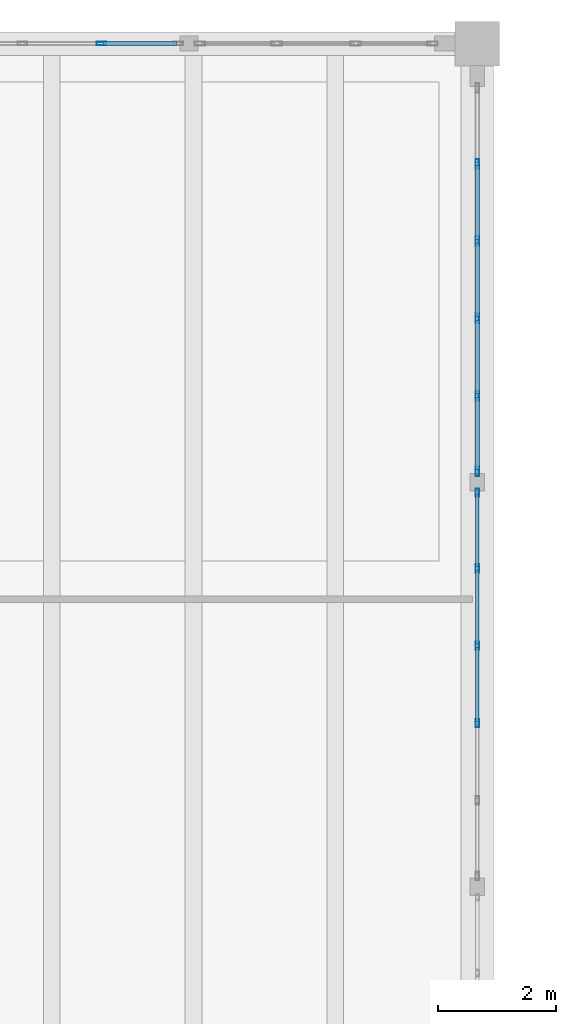
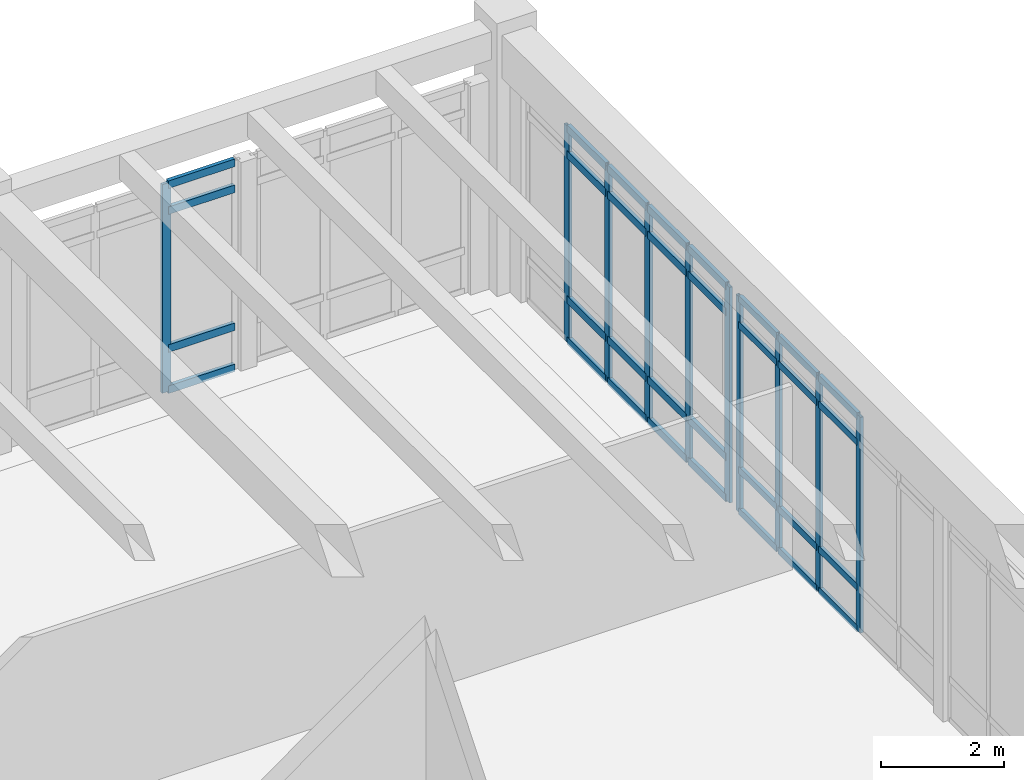
# One storey, part 86 of 138: 42 members, 3 elements without a shape of their own.
"""IFC4 building model written with IfcOpenShell, lengths in metres."""

from ifc_helpers import new_model, si_unit, direction, frame, origin, origin_2d, place, context, subcontext, project, spatial, hollow_rectangle, extrude, material, layer, layer_set, material_profile, profile_set, type_object, element, aggregate, save


model = new_model("IFC4")

# Units and contexts
model_context = context("Model", 3, precision=1e-05, world=origin(), true_north=direction((0.0, 1.0)))
body_context = subcontext(model_context, "Body", "Model", "MODEL_VIEW")
ifc_project = project(units=[si_unit("LENGTHUNIT", "METRE"), si_unit("AREAUNIT", "SQUARE_METRE"), si_unit("VOLUMEUNIT", "CUBIC_METRE"), si_unit("PLANEANGLEUNIT", "RADIAN"), si_unit("MASSUNIT", "GRAM", prefix="KILO")], contexts=[model_context])

# Site, building, storey
site_placement = place(None, origin())
site = spatial("IfcSite", under=ifc_project, at=site_placement, CompositionType="ELEMENT")
building_placement = place(site_placement, origin())
building = spatial("IfcBuilding", under=site, at=building_placement, Name="Fikremerkos Civic Library", CompositionType="ELEMENT")
storey_placement = place(building_placement, origin())
storey = spatial("IfcBuildingStorey", under=building, at=storey_placement, Name="L00", CompositionType="ELEMENT", Elevation=0.0)

# Curtain wall, member
ifc_material = material(Name="Anodized aluminium Frame", Category="aluminium")
ifc_layer_1 = layer(ifc_material, 0.159912109375, Name="Anodized aluminium Frame")
ifc_layer_set_1 = layer_set([ifc_layer_1], Name="Anodized aluminium Frame")
curtain_wall_type_1 = type_object("IfcCurtainWallType", Name="Unitised curtain wall CW-18 2700x3400", PredefinedType="USERDEFINED", material=ifc_layer_set_1)
curtain_wall_1_placement = place(storey_placement, origin())
curtain_wall_1 = element("IfcCurtainWall", 1, at=curtain_wall_1_placement, inside=storey, type_object=curtain_wall_type_1, Name="Unitised curtain wall CW-18 L00 #54", ObjectType="UNITISED CURTAIN WALL", PredefinedType="USERDEFINED")
ifc_material_profile_1 = material_profile(ifc_material, hollow_rectangle(XDim=0.06005859375, YDim=0.159912109375, WallThickness=0.00390625, at=origin_2d()), Name="ALU 160x60x4")
ifc_profile_set_1 = profile_set([ifc_material_profile_1], Name="Anodized aluminium Frame")
member_type_1 = type_object("IfcMemberType", Name="Curtain mullion CWM-02 ALU 160x60x4", PredefinedType="MULLION", material=ifc_profile_set_1)
member_1_placement = place(storey_placement, frame((128.041015625, 117.60009765625, 0.0), z_axis=(0.0, 0.0, 1.0), x_axis=(0.0, 1.0, 0.0)))
member_1 = element("IfcMember", 2, at=member_1_placement, type_object=member_type_1, Name="CW-18 mullion 3", PredefinedType="MULLION", context=body_context, shape_type="SweptSolid", body=[
    extrude(hollow_rectangle(XDim=0.06005859375, YDim=0.159912109375, WallThickness=0.00390625, at=origin_2d()), origin(), (0.0, 0.0, 1.0), 4.1298828125),
])

# Curtain wall, members
ifc_layer_2 = layer(ifc_material, 0.159912109375, Name="Anodized aluminium Frame")
ifc_layer_set_2 = layer_set([ifc_layer_2], Name="Anodized aluminium Frame")
curtain_wall_type_2 = type_object("IfcCurtainWallType", Name="Unitised curtain wall CW-02 3900x3600", PredefinedType="USERDEFINED", material=ifc_layer_set_2)
curtain_wall_2_placement = place(storey_placement, origin())
curtain_wall_2 = element("IfcCurtainWall", 3, at=curtain_wall_2_placement, inside=storey, type_object=curtain_wall_type_2, Name="Unitised curtain wall CW-02 L00 #56", ObjectType="UNITISED CURTAIN WALL", PredefinedType="USERDEFINED")
member_2_placement = place(storey_placement, frame((134.39990234375, 115.568359375, 0.0), z_axis=(0.0, 0.0, 1.0), x_axis=(1.0, 0.0, 0.0)))
member_2 = element("IfcMember", 4, at=member_2_placement, type_object=member_type_1, Name="CW-02 mullion 2", PredefinedType="MULLION", context=body_context, shape_type="SweptSolid", body=[
    extrude(hollow_rectangle(XDim=0.06005859375, YDim=0.159912109375, WallThickness=0.00390625, at=origin_2d()), origin(), (0.0, 0.0, 1.0), 4.27001953125),
])
member_3_placement = place(storey_placement, frame((134.39990234375, 114.259765625, 0.0), z_axis=(0.0, 0.0, 1.0), x_axis=(1.0, 0.0, 0.0)))
member_3 = element("IfcMember", 5, at=member_3_placement, type_object=member_type_1, Name="CW-02 mullion 3", PredefinedType="MULLION", context=body_context, shape_type="SweptSolid", body=[
    extrude(hollow_rectangle(XDim=0.06005859375, YDim=0.159912109375, WallThickness=0.00390625, at=origin_2d()), origin(), (0.0, 0.0, 1.0), 4.27001953125),
])
member_4_placement = place(storey_placement, frame((134.39990234375, 112.951171875, 0.0), z_axis=(0.0, 0.0, 1.0), x_axis=(1.0, 0.0, 0.0)))
member_4 = element("IfcMember", 6, at=member_4_placement, type_object=member_type_1, Name="CW-02 mullion 4", PredefinedType="MULLION", context=body_context, shape_type="SweptSolid", body=[
    extrude(hollow_rectangle(XDim=0.06005859375, YDim=0.159912109375, WallThickness=0.00390625, at=origin_2d()), origin(), (0.0, 0.0, 1.0), 4.27001953125),
])
member_5_placement = place(storey_placement, frame((134.39990234375, 111.642578125, 0.0), z_axis=(0.0, 0.0, 1.0), x_axis=(1.0, 0.0, 0.0)))
member_5 = element("IfcMember", 7, at=member_5_placement, type_object=member_type_1, Name="CW-02 mullion 5", PredefinedType="MULLION", context=body_context, shape_type="SweptSolid", body=[
    extrude(hollow_rectangle(XDim=0.06005859375, YDim=0.159912109375, WallThickness=0.00390625, at=origin_2d()), origin(), (0.0, 0.0, 1.0), 4.27001953125),
])
member_6_placement = place(storey_placement, frame((134.39990234375, 110.364013671875, 0.0), z_axis=(0.0, 0.0, 1.0), x_axis=(1.0, 0.0, 0.0)))
member_6 = element("IfcMember", 8, at=member_6_placement, type_object=member_type_1, Name="CW-02 mullion 6", PredefinedType="MULLION", context=body_context, shape_type="SweptSolid", body=[
    extrude(hollow_rectangle(XDim=0.06005859375, YDim=0.159912109375, WallThickness=0.00390625, at=origin_2d()), origin(), (0.0, 0.0, 1.0), 4.27001953125),
])

ifc_layer_3 = layer(ifc_material, 0.159912109375, Name="Anodized aluminium Frame")
ifc_layer_set_3 = layer_set([ifc_layer_3], Name="Anodized aluminium Frame")
curtain_wall_type_3 = type_object("IfcCurtainWallType", Name="Unitised curtain wall CW-03 4100x3600", PredefinedType="USERDEFINED", material=ifc_layer_set_3)
curtain_wall_3_placement = place(storey_placement, origin())
curtain_wall_3 = element("IfcCurtainWall", 9, at=curtain_wall_3_placement, inside=storey, type_object=curtain_wall_type_3, Name="Unitised curtain wall CW-03 L00 #57", ObjectType="UNITISED CURTAIN WALL", PredefinedType="USERDEFINED")
ifc_material_profile_2 = material_profile(ifc_material, hollow_rectangle(XDim=0.06005859375, YDim=0.139892578125, WallThickness=0.00390625, at=origin_2d()), Name="ALU 140x60x4")
ifc_profile_set_2 = profile_set([ifc_material_profile_2], Name="Anodized aluminium Frame")
member_type_2 = type_object("IfcMemberType", Name="Curtain mullion CWM-03 ALU 140x60x4", PredefinedType="MULLION", material=ifc_profile_set_2)
member_7_placement = place(storey_placement, frame((134.39990234375, 110.00390625, 0.0), z_axis=(0.0, 0.0, 1.0), x_axis=(1.0, 0.0, 0.0)))
member_7 = element("IfcMember", 10, at=member_7_placement, type_object=member_type_2, Name="CW-03 mullion 1", PredefinedType="MULLION", context=body_context, shape_type="SweptSolid", body=[
    extrude(hollow_rectangle(XDim=0.06005859375, YDim=0.139892578125, WallThickness=0.00390625, at=origin_2d()), origin(), (0.0, 0.0, 1.0), 4.27001953125),
])
member_8_placement = place(storey_placement, frame((134.39990234375, 108.725341796875, 0.0), z_axis=(0.0, 0.0, 1.0), x_axis=(1.0, 0.0, 0.0)))
member_8 = element("IfcMember", 11, at=member_8_placement, type_object=member_type_2, Name="CW-03 mullion 2", PredefinedType="MULLION", context=body_context, shape_type="SweptSolid", body=[
    extrude(hollow_rectangle(XDim=0.06005859375, YDim=0.139892578125, WallThickness=0.00390625, at=origin_2d()), origin(), (0.0, 0.0, 1.0), 4.27001953125),
])
member_9_placement = place(storey_placement, frame((134.39990234375, 107.416748046875, 0.0), z_axis=(0.0, 0.0, 1.0), x_axis=(1.0, 0.0, 0.0)))
member_9 = element("IfcMember", 12, at=member_9_placement, type_object=member_type_2, Name="CW-03 mullion 3", PredefinedType="MULLION", context=body_context, shape_type="SweptSolid", body=[
    extrude(hollow_rectangle(XDim=0.06005859375, YDim=0.139892578125, WallThickness=0.00390625, at=origin_2d()), origin(), (0.0, 0.0, 1.0), 4.27001953125),
])
member_10_placement = place(storey_placement, frame((134.39990234375, 106.108154296875, 0.0), z_axis=(0.0, 0.0, 1.0), x_axis=(1.0, 0.0, 0.0)))
member_10 = element("IfcMember", 13, at=member_10_placement, type_object=member_type_2, Name="CW-03 mullion 4", PredefinedType="MULLION", context=body_context, shape_type="SweptSolid", body=[
    extrude(hollow_rectangle(XDim=0.06005859375, YDim=0.139892578125, WallThickness=0.00390625, at=origin_2d()), origin(), (0.0, 0.0, 1.0), 4.27001953125),
])

# Member
ifc_material_profile_3 = material_profile(ifc_material, hollow_rectangle(XDim=0.070068359375, YDim=0.14990234375, WallThickness=0.00439453125, at=origin_2d()), Name="ALU 150x70x4.5")
ifc_profile_set_3 = profile_set([ifc_material_profile_3], Name="Anodized aluminium Frame")
member_type_3 = type_object("IfcMemberType", Name="Curtain transom CWT-01 ALU 150x70x4.5", PredefinedType="USERDEFINED", material=ifc_profile_set_3)
member_11_placement = place(storey_placement, frame((128.071044921875, 117.60009765625, 0.034912109375), z_axis=(1.0, 0.0, 0.0), x_axis=(0.0, 1.0, 0.0)))
member_11 = element("IfcMember", 14, at=member_11_placement, type_object=member_type_3, Name="CW-18 transom 3.1", ObjectType="TRANSOM", PredefinedType="USERDEFINED", context=body_context, shape_type="SweptSolid", body=[
    extrude(hollow_rectangle(XDim=0.070068359375, YDim=0.14990234375, WallThickness=0.00439453125, at=origin_2d()), origin(), (0.0, 0.0, 1.0), 1.243896484375),
])

member_12_placement = place(storey_placement, frame((128.071044921875, 117.60009765625, 0.85009765625), z_axis=(1.0, 0.0, 0.0), x_axis=(0.0, 1.0, 0.0)))
member_12 = element("IfcMember", 15, at=member_12_placement, type_object=member_type_3, Name="CW-18 transom 3.2", ObjectType="TRANSOM", PredefinedType="USERDEFINED", context=body_context, shape_type="SweptSolid", body=[
    extrude(hollow_rectangle(XDim=0.070068359375, YDim=0.14990234375, WallThickness=0.00439453125, at=origin_2d()), origin(), (0.0, 0.0, 1.0), 1.243896484375),
])

member_13_placement = place(storey_placement, frame((128.071044921875, 117.60009765625, 3.580078125), z_axis=(1.0, 0.0, 0.0), x_axis=(0.0, 1.0, 0.0)))
member_13 = element("IfcMember", 16, at=member_13_placement, type_object=member_type_3, Name="CW-18 transom 3.3", ObjectType="TRANSOM", PredefinedType="USERDEFINED", context=body_context, shape_type="SweptSolid", body=[
    extrude(hollow_rectangle(XDim=0.070068359375, YDim=0.14990234375, WallThickness=0.00439453125, at=origin_2d()), origin(), (0.0, 0.0, 1.0), 1.243896484375),
])

member_14_placement = place(storey_placement, frame((128.071044921875, 117.60009765625, 4.094970703125), z_axis=(1.0, 0.0, 0.0), x_axis=(0.0, 1.0, 0.0)))
member_14 = element("IfcMember", 17, at=member_14_placement, type_object=member_type_3, Name="CW-18 transom 3.4", ObjectType="TRANSOM", PredefinedType="USERDEFINED", context=body_context, shape_type="SweptSolid", body=[
    extrude(hollow_rectangle(XDim=0.070068359375, YDim=0.14990234375, WallThickness=0.00439453125, at=origin_2d()), origin(), (0.0, 0.0, 1.0), 1.243896484375),
])

aggregate(curtain_wall_1, [member_1, member_11, member_12, member_13, member_14])

member_15_placement = place(storey_placement, frame((134.39990234375, 115.538330078125, 0.034912109375), z_axis=(0.0, -1.0, 0.0), x_axis=(1.0, 0.0, 0.0)))
member_15 = element("IfcMember", 18, at=member_15_placement, type_object=member_type_3, Name="CW-02 transom 2.1", ObjectType="TRANSOM", PredefinedType="USERDEFINED", context=body_context, shape_type="SweptSolid", body=[
    extrude(hollow_rectangle(XDim=0.070068359375, YDim=0.14990234375, WallThickness=0.00439453125, at=origin_2d()), origin(), (0.0, 0.0, 1.0), 1.24853515625),
])

member_16_placement = place(storey_placement, frame((134.39990234375, 115.538330078125, 0.85009765625), z_axis=(0.0, -1.0, 0.0), x_axis=(1.0, 0.0, 0.0)))
member_16 = element("IfcMember", 19, at=member_16_placement, type_object=member_type_3, Name="CW-02 transom 2.2", ObjectType="TRANSOM", PredefinedType="USERDEFINED", context=body_context, shape_type="SweptSolid", body=[
    extrude(hollow_rectangle(XDim=0.070068359375, YDim=0.14990234375, WallThickness=0.00439453125, at=origin_2d()), origin(), (0.0, 0.0, 1.0), 1.24853515625),
])

member_17_placement = place(storey_placement, frame((134.39990234375, 115.538330078125, 3.719970703125), z_axis=(0.0, -1.0, 0.0), x_axis=(1.0, 0.0, 0.0)))
member_17 = element("IfcMember", 20, at=member_17_placement, type_object=member_type_3, Name="CW-02 transom 2.3", ObjectType="TRANSOM", PredefinedType="USERDEFINED", context=body_context, shape_type="SweptSolid", body=[
    extrude(hollow_rectangle(XDim=0.070068359375, YDim=0.14990234375, WallThickness=0.00439453125, at=origin_2d()), origin(), (0.0, 0.0, 1.0), 1.24853515625),
])

member_18_placement = place(storey_placement, frame((134.39990234375, 115.538330078125, 4.235107421875), z_axis=(0.0, -1.0, 0.0), x_axis=(1.0, 0.0, 0.0)))
member_18 = element("IfcMember", 21, at=member_18_placement, type_object=member_type_3, Name="CW-02 transom 2.4", ObjectType="TRANSOM", PredefinedType="USERDEFINED", context=body_context, shape_type="SweptSolid", body=[
    extrude(hollow_rectangle(XDim=0.070068359375, YDim=0.14990234375, WallThickness=0.00439453125, at=origin_2d()), origin(), (0.0, 0.0, 1.0), 1.24853515625),
])

member_19_placement = place(storey_placement, frame((134.39990234375, 114.229736328125, 0.034912109375), z_axis=(0.0, -1.0, 0.0), x_axis=(1.0, 0.0, 0.0)))
member_19 = element("IfcMember", 22, at=member_19_placement, type_object=member_type_3, Name="CW-02 transom 3.1", ObjectType="TRANSOM", PredefinedType="USERDEFINED", context=body_context, shape_type="SweptSolid", body=[
    extrude(hollow_rectangle(XDim=0.070068359375, YDim=0.14990234375, WallThickness=0.00439453125, at=origin_2d()), origin(), (0.0, 0.0, 1.0), 1.24853515625),
])

member_20_placement = place(storey_placement, frame((134.39990234375, 114.229736328125, 0.85009765625), z_axis=(0.0, -1.0, 0.0), x_axis=(1.0, 0.0, 0.0)))
member_20 = element("IfcMember", 23, at=member_20_placement, type_object=member_type_3, Name="CW-02 transom 3.2", ObjectType="TRANSOM", PredefinedType="USERDEFINED", context=body_context, shape_type="SweptSolid", body=[
    extrude(hollow_rectangle(XDim=0.070068359375, YDim=0.14990234375, WallThickness=0.00439453125, at=origin_2d()), origin(), (0.0, 0.0, 1.0), 1.24853515625),
])

member_21_placement = place(storey_placement, frame((134.39990234375, 114.229736328125, 3.719970703125), z_axis=(0.0, -1.0, 0.0), x_axis=(1.0, 0.0, 0.0)))
member_21 = element("IfcMember", 24, at=member_21_placement, type_object=member_type_3, Name="CW-02 transom 3.3", ObjectType="TRANSOM", PredefinedType="USERDEFINED", context=body_context, shape_type="SweptSolid", body=[
    extrude(hollow_rectangle(XDim=0.070068359375, YDim=0.14990234375, WallThickness=0.00439453125, at=origin_2d()), origin(), (0.0, 0.0, 1.0), 1.24853515625),
])

member_22_placement = place(storey_placement, frame((134.39990234375, 114.229736328125, 4.235107421875), z_axis=(0.0, -1.0, 0.0), x_axis=(1.0, 0.0, 0.0)))
member_22 = element("IfcMember", 25, at=member_22_placement, type_object=member_type_3, Name="CW-02 transom 3.4", ObjectType="TRANSOM", PredefinedType="USERDEFINED", context=body_context, shape_type="SweptSolid", body=[
    extrude(hollow_rectangle(XDim=0.070068359375, YDim=0.14990234375, WallThickness=0.00439453125, at=origin_2d()), origin(), (0.0, 0.0, 1.0), 1.24853515625),
])

member_23_placement = place(storey_placement, frame((134.39990234375, 112.921142578125, 0.034912109375), z_axis=(0.0, -1.0, 0.0), x_axis=(1.0, 0.0, 0.0)))
member_23 = element("IfcMember", 26, at=member_23_placement, type_object=member_type_3, Name="CW-02 transom 4.1", ObjectType="TRANSOM", PredefinedType="USERDEFINED", context=body_context, shape_type="SweptSolid", body=[
    extrude(hollow_rectangle(XDim=0.070068359375, YDim=0.14990234375, WallThickness=0.00439453125, at=origin_2d()), origin(), (0.0, 0.0, 1.0), 1.24853515625),
])

member_24_placement = place(storey_placement, frame((134.39990234375, 112.921142578125, 0.85009765625), z_axis=(0.0, -1.0, 0.0), x_axis=(1.0, 0.0, 0.0)))
member_24 = element("IfcMember", 27, at=member_24_placement, type_object=member_type_3, Name="CW-02 transom 4.2", ObjectType="TRANSOM", PredefinedType="USERDEFINED", context=body_context, shape_type="SweptSolid", body=[
    extrude(hollow_rectangle(XDim=0.070068359375, YDim=0.14990234375, WallThickness=0.00439453125, at=origin_2d()), origin(), (0.0, 0.0, 1.0), 1.24853515625),
])

member_25_placement = place(storey_placement, frame((134.39990234375, 112.921142578125, 3.719970703125), z_axis=(0.0, -1.0, 0.0), x_axis=(1.0, 0.0, 0.0)))
member_25 = element("IfcMember", 28, at=member_25_placement, type_object=member_type_3, Name="CW-02 transom 4.3", ObjectType="TRANSOM", PredefinedType="USERDEFINED", context=body_context, shape_type="SweptSolid", body=[
    extrude(hollow_rectangle(XDim=0.070068359375, YDim=0.14990234375, WallThickness=0.00439453125, at=origin_2d()), origin(), (0.0, 0.0, 1.0), 1.24853515625),
])

member_26_placement = place(storey_placement, frame((134.39990234375, 112.921142578125, 4.235107421875), z_axis=(0.0, -1.0, 0.0), x_axis=(1.0, 0.0, 0.0)))
member_26 = element("IfcMember", 29, at=member_26_placement, type_object=member_type_3, Name="CW-02 transom 4.4", ObjectType="TRANSOM", PredefinedType="USERDEFINED", context=body_context, shape_type="SweptSolid", body=[
    extrude(hollow_rectangle(XDim=0.070068359375, YDim=0.14990234375, WallThickness=0.00439453125, at=origin_2d()), origin(), (0.0, 0.0, 1.0), 1.24853515625),
])

member_27_placement = place(storey_placement, frame((134.39990234375, 111.612548828125, 0.034912109375), z_axis=(0.0, -1.0, 0.0), x_axis=(1.0, 0.0, 0.0)))
member_27 = element("IfcMember", 30, at=member_27_placement, type_object=member_type_3, Name="CW-02 transom 5.1", ObjectType="TRANSOM", PredefinedType="USERDEFINED", context=body_context, shape_type="SweptSolid", body=[
    extrude(hollow_rectangle(XDim=0.070068359375, YDim=0.14990234375, WallThickness=0.00439453125, at=origin_2d()), origin(), (0.0, 0.0, 1.0), 1.218505859375),
])

member_28_placement = place(storey_placement, frame((134.39990234375, 111.612548828125, 0.85009765625), z_axis=(0.0, -1.0, 0.0), x_axis=(1.0, 0.0, 0.0)))
member_28 = element("IfcMember", 31, at=member_28_placement, type_object=member_type_3, Name="CW-02 transom 5.2", ObjectType="TRANSOM", PredefinedType="USERDEFINED", context=body_context, shape_type="SweptSolid", body=[
    extrude(hollow_rectangle(XDim=0.070068359375, YDim=0.14990234375, WallThickness=0.00439453125, at=origin_2d()), origin(), (0.0, 0.0, 1.0), 1.218505859375),
])

member_29_placement = place(storey_placement, frame((134.39990234375, 111.612548828125, 3.719970703125), z_axis=(0.0, -1.0, 0.0), x_axis=(1.0, 0.0, 0.0)))
member_29 = element("IfcMember", 32, at=member_29_placement, type_object=member_type_3, Name="CW-02 transom 5.3", ObjectType="TRANSOM", PredefinedType="USERDEFINED", context=body_context, shape_type="SweptSolid", body=[
    extrude(hollow_rectangle(XDim=0.070068359375, YDim=0.14990234375, WallThickness=0.00439453125, at=origin_2d()), origin(), (0.0, 0.0, 1.0), 1.218505859375),
])

member_30_placement = place(storey_placement, frame((134.39990234375, 111.612548828125, 4.235107421875), z_axis=(0.0, -1.0, 0.0), x_axis=(1.0, 0.0, 0.0)))
member_30 = element("IfcMember", 33, at=member_30_placement, type_object=member_type_3, Name="CW-02 transom 5.4", ObjectType="TRANSOM", PredefinedType="USERDEFINED", context=body_context, shape_type="SweptSolid", body=[
    extrude(hollow_rectangle(XDim=0.070068359375, YDim=0.14990234375, WallThickness=0.00439453125, at=origin_2d()), origin(), (0.0, 0.0, 1.0), 1.218505859375),
])

aggregate(curtain_wall_2, [member_2, member_3, member_4, member_5, member_6, member_15, member_16, member_17, member_18, member_19, member_20, member_21, member_22, member_23, member_24, member_25, member_26, member_27, member_28, member_29, member_30])

ifc_material_profile_4 = material_profile(ifc_material, hollow_rectangle(XDim=0.06494140625, YDim=0.135009765625, WallThickness=0.00439453125, at=origin_2d()), Name="ALU 135x65x4.5")
ifc_profile_set_4 = profile_set([ifc_material_profile_4], Name="Anodized aluminium Frame")
member_type_4 = type_object("IfcMemberType", Name="Curtain transom CWT-02 ALU 135x65x4.5", PredefinedType="USERDEFINED", material=ifc_profile_set_4)
member_31_placement = place(storey_placement, frame((134.39990234375, 109.97412109375, 0.032470703125), z_axis=(0.0, -1.0, 0.0), x_axis=(1.0, 0.0, 0.0)))
member_31 = element("IfcMember", 34, at=member_31_placement, type_object=member_type_4, Name="CW-03 transom 1.1", ObjectType="TRANSOM", PredefinedType="USERDEFINED", context=body_context, shape_type="SweptSolid", body=[
    extrude(hollow_rectangle(XDim=0.06494140625, YDim=0.135009765625, WallThickness=0.00439453125, at=origin_2d()), origin(), (0.0, 0.0, 1.0), 1.21875),
])

member_32_placement = place(storey_placement, frame((134.39990234375, 109.97412109375, 0.85009765625), z_axis=(0.0, -1.0, 0.0), x_axis=(1.0, 0.0, 0.0)))
member_32 = element("IfcMember", 35, at=member_32_placement, type_object=member_type_4, Name="CW-03 transom 1.2", ObjectType="TRANSOM", PredefinedType="USERDEFINED", context=body_context, shape_type="SweptSolid", body=[
    extrude(hollow_rectangle(XDim=0.06494140625, YDim=0.135009765625, WallThickness=0.00439453125, at=origin_2d()), origin(), (0.0, 0.0, 1.0), 1.21875),
])

member_33_placement = place(storey_placement, frame((134.39990234375, 109.97412109375, 3.719970703125), z_axis=(0.0, -1.0, 0.0), x_axis=(1.0, 0.0, 0.0)))
member_33 = element("IfcMember", 36, at=member_33_placement, type_object=member_type_4, Name="CW-03 transom 1.3", ObjectType="TRANSOM", PredefinedType="USERDEFINED", context=body_context, shape_type="SweptSolid", body=[
    extrude(hollow_rectangle(XDim=0.06494140625, YDim=0.135009765625, WallThickness=0.00439453125, at=origin_2d()), origin(), (0.0, 0.0, 1.0), 1.21875),
])

member_34_placement = place(storey_placement, frame((134.39990234375, 109.97412109375, 4.237548828125), z_axis=(0.0, -1.0, 0.0), x_axis=(1.0, 0.0, 0.0)))
member_34 = element("IfcMember", 37, at=member_34_placement, type_object=member_type_4, Name="CW-03 transom 1.4", ObjectType="TRANSOM", PredefinedType="USERDEFINED", context=body_context, shape_type="SweptSolid", body=[
    extrude(hollow_rectangle(XDim=0.06494140625, YDim=0.135009765625, WallThickness=0.00439453125, at=origin_2d()), origin(), (0.0, 0.0, 1.0), 1.21875),
])

member_35_placement = place(storey_placement, frame((134.39990234375, 108.6953125, 0.032470703125), z_axis=(0.0, -1.0, 0.0), x_axis=(1.0, 0.0, 0.0)))
member_35 = element("IfcMember", 38, at=member_35_placement, type_object=member_type_4, Name="CW-03 transom 2.1", ObjectType="TRANSOM", PredefinedType="USERDEFINED", context=body_context, shape_type="SweptSolid", body=[
    extrude(hollow_rectangle(XDim=0.06494140625, YDim=0.135009765625, WallThickness=0.00439453125, at=origin_2d()), origin(), (0.0, 0.0, 1.0), 1.24853515625),
])

member_36_placement = place(storey_placement, frame((134.39990234375, 108.6953125, 0.85009765625), z_axis=(0.0, -1.0, 0.0), x_axis=(1.0, 0.0, 0.0)))
member_36 = element("IfcMember", 39, at=member_36_placement, type_object=member_type_4, Name="CW-03 transom 2.2", ObjectType="TRANSOM", PredefinedType="USERDEFINED", context=body_context, shape_type="SweptSolid", body=[
    extrude(hollow_rectangle(XDim=0.06494140625, YDim=0.135009765625, WallThickness=0.00439453125, at=origin_2d()), origin(), (0.0, 0.0, 1.0), 1.24853515625),
])

member_37_placement = place(storey_placement, frame((134.39990234375, 108.6953125, 3.719970703125), z_axis=(0.0, -1.0, 0.0), x_axis=(1.0, 0.0, 0.0)))
member_37 = element("IfcMember", 40, at=member_37_placement, type_object=member_type_4, Name="CW-03 transom 2.3", ObjectType="TRANSOM", PredefinedType="USERDEFINED", context=body_context, shape_type="SweptSolid", body=[
    extrude(hollow_rectangle(XDim=0.06494140625, YDim=0.135009765625, WallThickness=0.00439453125, at=origin_2d()), origin(), (0.0, 0.0, 1.0), 1.24853515625),
])

member_38_placement = place(storey_placement, frame((134.39990234375, 108.6953125, 4.237548828125), z_axis=(0.0, -1.0, 0.0), x_axis=(1.0, 0.0, 0.0)))
member_38 = element("IfcMember", 41, at=member_38_placement, type_object=member_type_4, Name="CW-03 transom 2.4", ObjectType="TRANSOM", PredefinedType="USERDEFINED", context=body_context, shape_type="SweptSolid", body=[
    extrude(hollow_rectangle(XDim=0.06494140625, YDim=0.135009765625, WallThickness=0.00439453125, at=origin_2d()), origin(), (0.0, 0.0, 1.0), 1.24853515625),
])

member_39_placement = place(storey_placement, frame((134.39990234375, 107.38671875, 0.032470703125), z_axis=(0.0, -1.0, 0.0), x_axis=(1.0, 0.0, 0.0)))
member_39 = element("IfcMember", 42, at=member_39_placement, type_object=member_type_4, Name="CW-03 transom 3.1", ObjectType="TRANSOM", PredefinedType="USERDEFINED", context=body_context, shape_type="SweptSolid", body=[
    extrude(hollow_rectangle(XDim=0.06494140625, YDim=0.135009765625, WallThickness=0.00439453125, at=origin_2d()), origin(), (0.0, 0.0, 1.0), 1.24853515625),
])

member_40_placement = place(storey_placement, frame((134.39990234375, 107.38671875, 0.85009765625), z_axis=(0.0, -1.0, 0.0), x_axis=(1.0, 0.0, 0.0)))
member_40 = element("IfcMember", 43, at=member_40_placement, type_object=member_type_4, Name="CW-03 transom 3.2", ObjectType="TRANSOM", PredefinedType="USERDEFINED", context=body_context, shape_type="SweptSolid", body=[
    extrude(hollow_rectangle(XDim=0.06494140625, YDim=0.135009765625, WallThickness=0.00439453125, at=origin_2d()), origin(), (0.0, 0.0, 1.0), 1.24853515625),
])

member_41_placement = place(storey_placement, frame((134.39990234375, 107.38671875, 3.719970703125), z_axis=(0.0, -1.0, 0.0), x_axis=(1.0, 0.0, 0.0)))
member_41 = element("IfcMember", 44, at=member_41_placement, type_object=member_type_4, Name="CW-03 transom 3.3", ObjectType="TRANSOM", PredefinedType="USERDEFINED", context=body_context, shape_type="SweptSolid", body=[
    extrude(hollow_rectangle(XDim=0.06494140625, YDim=0.135009765625, WallThickness=0.00439453125, at=origin_2d()), origin(), (0.0, 0.0, 1.0), 1.24853515625),
])

member_42_placement = place(storey_placement, frame((134.39990234375, 107.38671875, 4.237548828125), z_axis=(0.0, -1.0, 0.0), x_axis=(1.0, 0.0, 0.0)))
member_42 = element("IfcMember", 45, at=member_42_placement, type_object=member_type_4, Name="CW-03 transom 3.4", ObjectType="TRANSOM", PredefinedType="USERDEFINED", context=body_context, shape_type="SweptSolid", body=[
    extrude(hollow_rectangle(XDim=0.06494140625, YDim=0.135009765625, WallThickness=0.00439453125, at=origin_2d()), origin(), (0.0, 0.0, 1.0), 1.24853515625),
])

aggregate(curtain_wall_3, [member_7, member_8, member_9, member_10, member_31, member_32, member_33, member_34, member_35, member_36, member_37, member_38, member_39, member_40, member_41, member_42])

save(model, "model.ifc")
